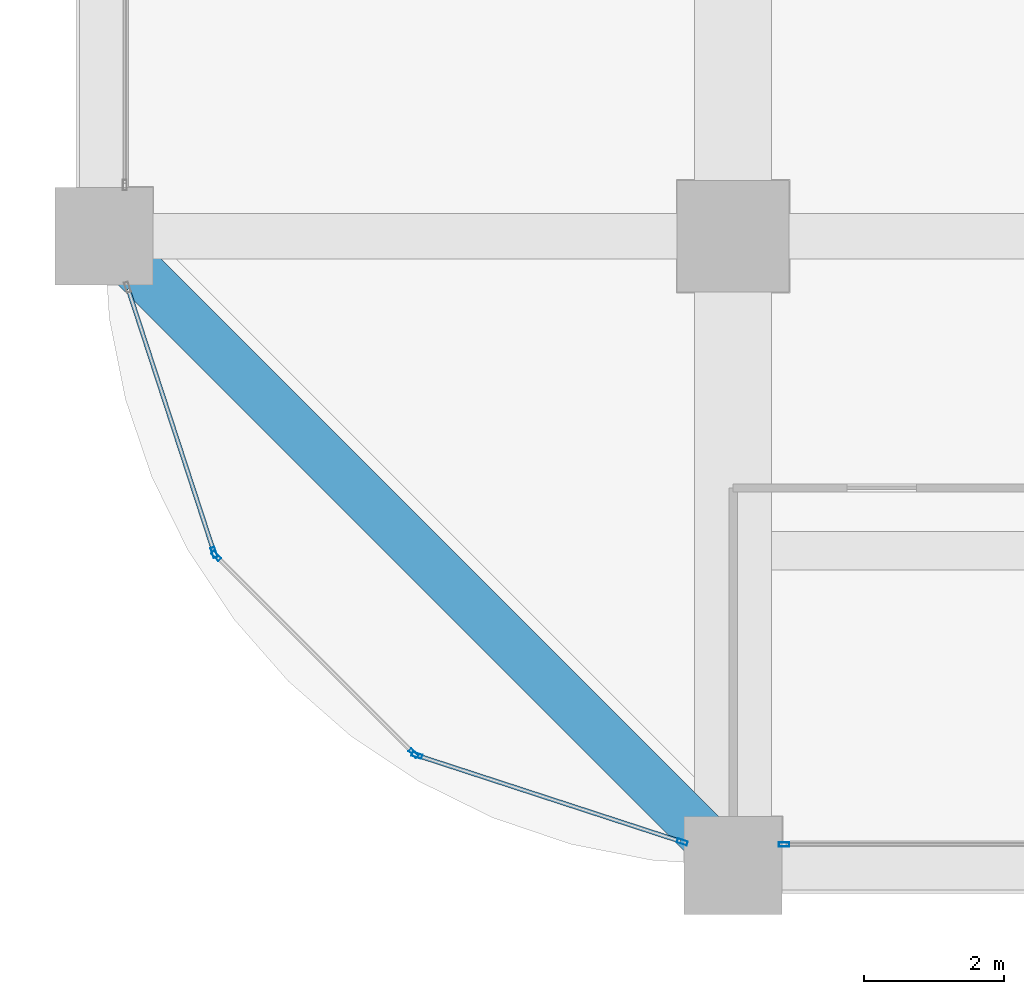
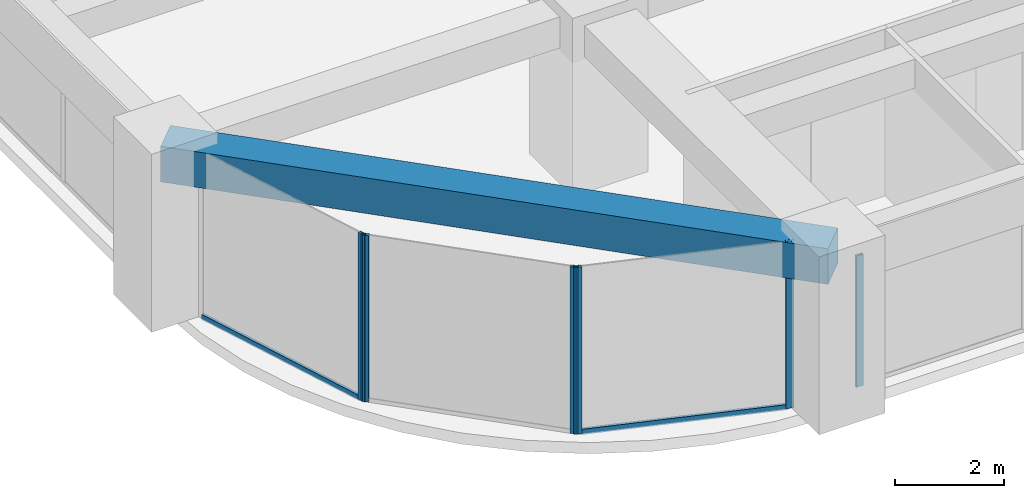
# One storey, part 2 of 32: 8 members, 1 beam, 4 elements without a shape of their own.
"""IFC4 building model written with IfcOpenShell, lengths in metres."""

from ifc_helpers import new_model, si_unit, direction, frame, origin, origin_2d, place, context, subcontext, project, spatial, rectangle, hollow_rectangle, extrude, material, material_profile, profile_set, type_object, element, aggregate, save


model = new_model("IFC4")

# Units and contexts
model_context = context("Model", 3, precision=1e-05, world=origin(), true_north=direction((0.0, 1.0)))
body_context = subcontext(model_context, "Body", "Model", "MODEL_VIEW")
ifc_project = project(units=[si_unit("LENGTHUNIT", "METRE"), si_unit("AREAUNIT", "SQUARE_METRE"), si_unit("VOLUMEUNIT", "CUBIC_METRE"), si_unit("PLANEANGLEUNIT", "RADIAN"), si_unit("MASSUNIT", "GRAM", prefix="KILO")], contexts=[model_context])

# Site, building, storey
site_placement = place(None, origin())
site = spatial("IfcSite", under=ifc_project, at=site_placement, CompositionType="ELEMENT")
building_placement = place(site_placement, origin())
building = spatial("IfcBuilding", under=site, at=building_placement, Name="Zorevar Civic Tower", CompositionType="ELEMENT")
storey_placement = place(building_placement, frame((0.0, 0.0, 182.199951171875)))
storey = spatial("IfcBuildingStorey", under=building, at=storey_placement, Name="L44", CompositionType="ELEMENT", Elevation=182.199951171875)

# Curtain wall, member
ifc_material_1 = material(Name="Dark grey solar-control glass in black aluminium frame", Category="aluminium")
curtain_wall_type = type_object("IfcCurtainWallType", Name="Curtain wall CW4 high zone", PredefinedType="NOTDEFINED", material=ifc_material_1)
curtain_wall_1_placement = place(storey_placement, origin())
curtain_wall_1 = element("IfcCurtainWall", 1, at=curtain_wall_1_placement, inside=storey, type_object=curtain_wall_type, Name="CW4 L44", PredefinedType="NOTDEFINED")
ifc_material_2 = material(Name="Aluminium, black anodised", Category="aluminium")
ifc_material_profile_1 = material_profile(ifc_material_2, hollow_rectangle(XDim=0.06005859375, YDim=0.14990234375, WallThickness=0.00390625, at=origin_2d()), Name="AL 150x60x4")
ifc_profile_set_1 = profile_set([ifc_material_profile_1], Name="Aluminium, black anodised")
member_type_1 = type_object("IfcMemberType", Name="CW4 mullion AL 150x60x4", PredefinedType="MULLION", material=ifc_profile_set_1)
member_1_placement = place(storey_placement, frame((9.72998046875, 0.300048828125, 0.0), z_axis=(0.0, 0.0, 1.0), x_axis=(0.0, 1.0, 0.0)))
member_1 = element("IfcMember", 2, at=member_1_placement, type_object=member_type_1, Name="CW4 mullion 1", PredefinedType="MULLION", context=body_context, shape_type="SweptSolid", body=[
    extrude(hollow_rectangle(XDim=0.06005859375, YDim=0.14990234375, WallThickness=0.00390625, at=origin_2d()), origin(), (0.0, 0.0, 1.0), 2.949951171875),
])
aggregate(curtain_wall_1, [member_1])

curtain_wall_2_placement = place(storey_placement, origin())
curtain_wall_2 = element("IfcCurtainWall", 3, at=curtain_wall_2_placement, inside=storey, type_object=curtain_wall_type, Name="CW4 L44", PredefinedType="NOTDEFINED")
member_2_placement = place(storey_placement, frame((1.57568359375, 4.477783203125, 0.0), z_axis=(0.0, 0.0, 1.0), x_axis=(0.950644749916, 0.310281419775, 0.0)))
member_2 = element("IfcMember", 4, at=member_2_placement, type_object=member_type_1, Name="CW4 mullion 2", PredefinedType="MULLION", context=body_context, shape_type="SweptSolid", body=[
    extrude(hollow_rectangle(XDim=0.06005859375, YDim=0.14990234375, WallThickness=0.00390625, at=origin_2d()), origin(), (0.0, 0.0, 1.0), 3.75),
])

# Curtain wall, members
curtain_wall_3_placement = place(storey_placement, origin())
curtain_wall_3 = element("IfcCurtainWall", 5, at=curtain_wall_3_placement, inside=storey, type_object=curtain_wall_type, Name="CW4 L44", PredefinedType="NOTDEFINED")
member_3_placement = place(storey_placement, frame((1.606201171875, 4.427978515625, 0.0), z_axis=(0.0, 0.0, 1.0), x_axis=(0.707106781187, 0.707106781187, 0.0)))
member_3 = element("IfcMember", 6, at=member_3_placement, type_object=member_type_1, Name="CW4 mullion 1", PredefinedType="MULLION", context=body_context, shape_type="SweptSolid", body=[
    extrude(hollow_rectangle(XDim=0.06005859375, YDim=0.14990234375, WallThickness=0.00390625, at=origin_2d()), origin(), (0.0, 0.0, 1.0), 3.75),
])
member_4_placement = place(storey_placement, frame((4.427978515625, 1.606201171875, 0.0), z_axis=(0.0, 0.0, 1.0), x_axis=(0.707106781187, 0.707106781187, 0.0)))
member_4 = element("IfcMember", 7, at=member_4_placement, type_object=member_type_1, Name="CW4 mullion 2", PredefinedType="MULLION", context=body_context, shape_type="SweptSolid", body=[
    extrude(hollow_rectangle(XDim=0.06005859375, YDim=0.14990234375, WallThickness=0.00390625, at=origin_2d()), origin(), (0.0, 0.0, 1.0), 3.75),
])
aggregate(curtain_wall_3, [member_3, member_4])

curtain_wall_4_placement = place(storey_placement, origin())
curtain_wall_4 = element("IfcCurtainWall", 8, at=curtain_wall_4_placement, inside=storey, type_object=curtain_wall_type, Name="CW4 L44", PredefinedType="NOTDEFINED")
member_5_placement = place(storey_placement, frame((4.477783203125, 1.57568359375, 0.0), z_axis=(0.0, 0.0, 1.0), x_axis=(0.310281419775, 0.950644749916, 0.0)))
member_5 = element("IfcMember", 9, at=member_5_placement, type_object=member_type_1, Name="CW4 mullion 1", PredefinedType="MULLION", context=body_context, shape_type="SweptSolid", body=[
    extrude(hollow_rectangle(XDim=0.06005859375, YDim=0.14990234375, WallThickness=0.00390625, at=origin_2d()), origin(), (0.0, 0.0, 1.0), 3.75),
])
member_6_placement = place(storey_placement, frame((8.271484375, 0.337646484375, 0.0), z_axis=(0.0, 0.0, 1.0), x_axis=(0.310281419775, 0.950644749916, 0.0)))
member_6 = element("IfcMember", 10, at=member_6_placement, type_object=member_type_1, Name="CW4 mullion 2", PredefinedType="MULLION", context=body_context, shape_type="SweptSolid", body=[
    extrude(hollow_rectangle(XDim=0.06005859375, YDim=0.14990234375, WallThickness=0.00390625, at=origin_2d()), origin(), (0.0, 0.0, 1.0), 3.75),
])

# Member
ifc_material_3 = material(Name="Aluminium, black anodised", Category="aluminium")
ifc_material_profile_2 = material_profile(ifc_material_3, hollow_rectangle(XDim=0.06005859375, YDim=0.1201171875, WallThickness=0.0029296875, at=origin_2d()), Name="AL 120x60x3")
ifc_profile_set_2 = profile_set([ifc_material_profile_2], Name="Aluminium, black anodised")
member_type_2 = type_object("IfcMemberType", Name="CW4 transom AL 120x60x3", PredefinedType="USERDEFINED", material=ifc_profile_set_2)
member_7_placement = place(storey_placement, frame((0.346923828125, 8.242919921875, 0.030029296875), z_axis=(0.31025859143, -0.950652200568, 0.0), x_axis=(0.950652200568, 0.31025859143, 0.0)))
member_7 = element("IfcMember", 11, at=member_7_placement, type_object=member_type_2, Name="CW4 sill transom", ObjectType="TRANSOM", PredefinedType="USERDEFINED", context=body_context, shape_type="SweptSolid", body=[
    extrude(hollow_rectangle(XDim=0.06005859375, YDim=0.1201171875, WallThickness=0.0029296875, at=origin_2d()), origin(), (0.0, 0.0, 1.0), 3.930419921875),
])

aggregate(curtain_wall_2, [member_2, member_7])

member_8_placement = place(storey_placement, frame((4.50634765625, 1.56640625, 0.030029296875), z_axis=(0.950652200568, -0.31025859143, 0.0), x_axis=(0.31025859143, 0.950652200568, 0.0)))
member_8 = element("IfcMember", 12, at=member_8_placement, type_object=member_type_2, Name="CW4 sill transom", ObjectType="TRANSOM", PredefinedType="USERDEFINED", context=body_context, shape_type="SweptSolid", body=[
    extrude(hollow_rectangle(XDim=0.06005859375, YDim=0.1201171875, WallThickness=0.0029296875, at=origin_2d()), origin(), (0.0, 0.0, 1.0), 3.930419921875),
])

aggregate(curtain_wall_4, [member_5, member_6, member_8])

# Beam
ifc_material_4 = material(Name="Concrete C50/60", Category="concrete")
ifc_material_profile_3 = material_profile(ifc_material_4, rectangle(XDim=0.699951171875, YDim=0.800048828125, at=origin_2d()), Name="RC 700x800")
ifc_profile_set_3 = profile_set([ifc_material_profile_3], Name="Concrete C50/60")
beam_type = type_object("IfcBeamType", Name="Edge beam RC 700x800", PredefinedType="SPANDREL", material=ifc_profile_set_3)
beam_placement = place(storey_placement, frame((0.0, 9.0, 3.35009765625), z_axis=(0.707106781187, -0.707106781187, 0.0), x_axis=(0.707106781187, 0.707106781187, 0.0)))
element("IfcBeam", 13, at=beam_placement, inside=storey, type_object=beam_type, Name="Corner edge beam L45", PredefinedType="SPANDREL", context=body_context, shape_type="SweptSolid", body=[
    extrude(rectangle(XDim=0.699951171875, YDim=0.800048828125, at=origin_2d()), origin(), (0.0, 0.0, 1.0), 12.72802734375),
])

save(model, "model.ifc")
